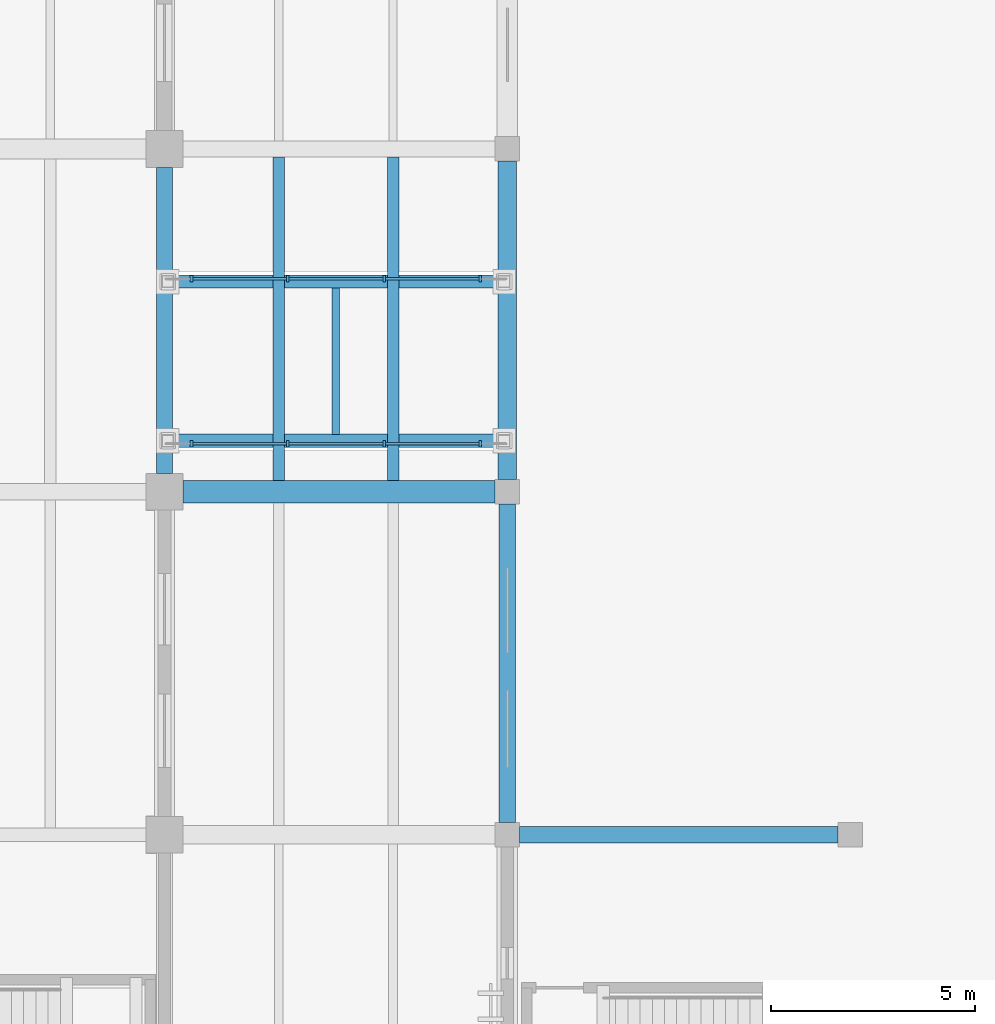
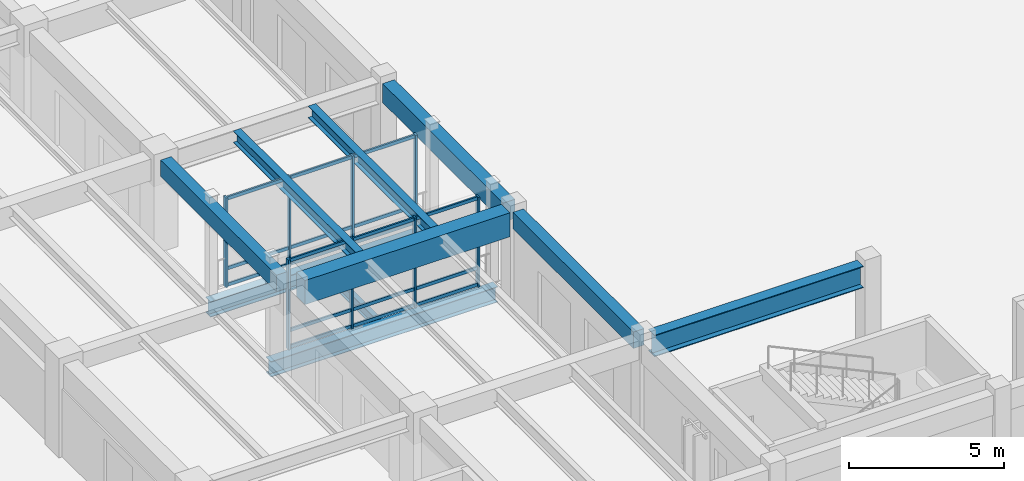
# One storey, part 30 of 135: 26 members, 10 beams, 2 elements without a shape of their own.
"""IFC4 building model written with IfcOpenShell, lengths in metres."""

from ifc_helpers import new_model, si_unit, direction, frame, origin, origin_2d, place, context, subcontext, project, spatial, rectangle, i_section, extrude, material, material_profile, profile_set, type_object, element, aggregate, save


model = new_model("IFC4")

# Units and contexts
model_context = context("Model", 3, precision=1e-05, world=origin(), true_north=direction((0.0, 1.0)))
body_context = subcontext(model_context, "Body", "Model", "MODEL_VIEW")
ifc_project = project(units=[si_unit("LENGTHUNIT", "METRE"), si_unit("AREAUNIT", "SQUARE_METRE"), si_unit("VOLUMEUNIT", "CUBIC_METRE"), si_unit("PLANEANGLEUNIT", "RADIAN"), si_unit("MASSUNIT", "GRAM", prefix="KILO")], contexts=[model_context])

# Site, building, storey
site_placement = place(None, origin())
site = spatial("IfcSite", under=ifc_project, at=site_placement, CompositionType="ELEMENT")
building_placement = place(site_placement, origin())
building = spatial("IfcBuilding", under=site, at=building_placement, Name="Cumbredor Promenade Congress Hotel", CompositionType="ELEMENT")
storey_placement = place(building_placement, origin())
storey = spatial("IfcBuildingStorey", under=building, at=storey_placement, Name="L00", CompositionType="ELEMENT", Elevation=0.0)

# Beams
ifc_material_1 = material(Name="Concrete C40/50", Category="concrete")
ifc_material_profile_1 = material_profile(ifc_material_1, rectangle(XDim=0.39990234375, YDim=0.64990234375, at=origin_2d()), Name="RC BEAM 400x650")
ifc_profile_set_1 = profile_set([ifc_material_profile_1], Name="Concrete C40/50")
beam_type_1 = type_object("IfcBeamType", Name="BM-RC-400x650", PredefinedType="BEAM", material=ifc_profile_set_1)
beam_1_placement = place(storey_placement, frame((67.199951171875, 25.64990234375, 3.31494140625), z_axis=(0.0, 1.0, 0.0), x_axis=(-1.0, 0.0, 0.0)))
element("IfcBeam", 1, at=beam_1_placement, inside=storey, type_object=beam_type_1, Name="L01 Y-Grid Beam 114", PredefinedType="BEAM", context=body_context, shape_type="SweptSolid", body=[
    extrude(rectangle(XDim=0.39990234375, YDim=0.64990234375, at=origin_2d()), origin(), (0.0, 0.0, 1.0), 7.5),
])
beam_2_placement = place(storey_placement, frame((75.60009765625, 17.10009765625, 3.31494140625), z_axis=(0.0, 1.0, 0.0), x_axis=(-1.0, 0.0, 0.0)))
element("IfcBeam", 2, at=beam_2_placement, inside=storey, type_object=beam_type_1, Name="L01 Y-Grid Beam 134", PredefinedType="BEAM", context=body_context, shape_type="SweptSolid", body=[
    extrude(rectangle(XDim=0.39990234375, YDim=0.64990234375, at=origin_2d()), origin(), (0.0, 0.0, 1.0), 7.7998046875),
])
ifc_material_profile_2 = material_profile(ifc_material_1, rectangle(XDim=0.449951171875, YDim=0.75, at=origin_2d()), Name="RC BEAM 450x750")
ifc_profile_set_2 = profile_set([ifc_material_profile_2], Name="Concrete C40/50")
beam_type_2 = type_object("IfcBeamType", Name="BM-RC-450x750", PredefinedType="BEAM", material=ifc_profile_set_2)
beam_3_placement = place(storey_placement, frame((75.60009765625, 25.5, 3.264892578125), z_axis=(0.0, 1.0, 0.0), x_axis=(-1.0, 0.0, 0.0)))
element("IfcBeam", 3, at=beam_3_placement, inside=storey, type_object=beam_type_2, Name="L01 Y-Grid Beam 135", PredefinedType="BEAM", context=body_context, shape_type="SweptSolid", body=[
    extrude(rectangle(XDim=0.449951171875, YDim=0.75, at=origin_2d()), origin(), (0.0, 0.0, 1.0), 7.800048828125),
])
ifc_material_profile_3 = material_profile(ifc_material_1, rectangle(XDim=0.550048828125, YDim=0.949951171875, at=origin_2d()), Name="RC BEAM 550x950")
ifc_profile_set_3 = profile_set([ifc_material_profile_3], Name="Concrete C40/50")
beam_type_3 = type_object("IfcBeamType", Name="BM-RC-550x950", PredefinedType="BEAM", material=ifc_profile_set_3)
beam_4_placement = place(storey_placement, frame((67.64990234375, 25.199951171875, 3.1650390625), z_axis=(1.0, 0.0, 0.0), x_axis=(0.0, 1.0, 0.0)))
element("IfcBeam", 4, at=beam_4_placement, inside=storey, type_object=beam_type_3, Name="L01 X-Grid Beam 113", PredefinedType="BEAM", context=body_context, shape_type="SweptSolid", body=[
    extrude(rectangle(XDim=0.550048828125, YDim=0.949951171875, at=origin_2d()), origin(), (0.0, 0.0, 1.0), 7.650146484375),
])
ifc_material_2 = material(Name="Steel ASTM A992 Grade 50", Category="steel")
ifc_material_profile_4 = material_profile(ifc_material_2, i_section(OverallWidth=0.323974609375, OverallDepth=0.611083984375, WebThickness=0.0126953125, FlangeThickness=0.01904296875, at=origin_2d()), Name="W24X104")
ifc_profile_set_4 = profile_set([ifc_material_profile_4], Name="Steel ASTM A992 Grade 50")
beam_type_4 = type_object("IfcBeamType", Name="BM-W24X104", PredefinedType="BEAM", material=ifc_profile_set_4)
for number, where, z_axis, x_axis, name in (
    (5, (67.159912109375, 26.449951171875, -0.525390625), (1.0, 0.0, 0.0), (0.0, 1.0, 0.0), "L00 Central Plenary-to-Spa Pool Bridge Edge Girder 1"),
    (6, (67.159912109375, 30.35009765625, -0.525390625), (1.0, 0.0, 0.0), (0.0, 1.0, 0.0), "L00 Central Plenary-to-Spa Pool Bridge Edge Girder 2"),
):
    element("IfcBeam", number, at=place(storey_placement, frame(where, z_axis=z_axis, x_axis=x_axis)), inside=storey, type_object=beam_type_4, Name=name, PredefinedType="BEAM", context=body_context, shape_type="SweptSolid", body=[
        extrude(i_section(OverallWidth=0.323974609375, OverallDepth=0.611083984375, WebThickness=0.0126953125, FlangeThickness=0.01904296875, at=origin_2d()), origin(), (0.0, 0.0, 1.0), 8.47998046875),
    ])
ifc_material_profile_5 = material_profile(ifc_material_2, i_section(OverallWidth=0.39990234375, OverallDepth=0.85498046875, WebThickness=0.018310546875, FlangeThickness=0.029296875, at=origin_2d()), Name="W33X201")
ifc_profile_set_5 = profile_set([ifc_material_profile_5], Name="Steel ASTM A992 Grade 50")
beam_type_5 = type_object("IfcBeamType", Name="BM-W33X201", PredefinedType="BEAM", material=ifc_profile_set_5)
beam_5_placement = place(storey_placement, frame((75.89990234375, 16.800048828125, 3.21240234375), z_axis=(1.0, 0.0, 0.0), x_axis=(0.0, 1.0, 0.0)))
element("IfcBeam", 7, at=beam_5_placement, inside=storey, type_object=beam_type_5, Name="L01 X-Grid Beam 133", PredefinedType="BEAM", context=body_context, shape_type="SweptSolid", body=[
    extrude(i_section(OverallWidth=0.39990234375, OverallDepth=0.85498046875, WebThickness=0.018310546875, FlangeThickness=0.029296875, at=origin_2d()), origin(), (0.0, 0.0, 1.0), 7.800048828125),
])

# Curtain wall, members
ifc_material_3 = material(Name="Thermally broken anodized aluminium and low-E glass", Category="aluminium")
curtain_wall_type = type_object("IfcCurtainWallType", Name="Unitised Bridge Glazing Screen CW-05", PredefinedType="NOTDEFINED", material=ifc_material_3)
curtain_wall_1_placement = place(storey_placement, origin())
curtain_wall_1 = element("IfcCurtainWall", 8, at=curtain_wall_1_placement, inside=storey, type_object=curtain_wall_type, Name="L00 Central Plenary-to-Spa Pool Bridge South Glazing Screen", PredefinedType="NOTDEFINED")
ifc_material_4 = material(Name="Thermally broken anodized aluminium", Category="aluminium")
ifc_material_profile_6 = material_profile(ifc_material_4, rectangle(XDim=0.06494140625, YDim=0.159912109375, at=origin_2d()), Name="ALU MULLION 65x160")
ifc_profile_set_6 = profile_set([ifc_material_profile_6], Name="Thermally broken anodized aluminium")
member_type_1 = type_object("IfcMemberType", Name="Curtain Wall Mullion ML-01", PredefinedType="MULLION", material=ifc_profile_set_6)
member_1_placement = place(storey_placement, frame((67.860107421875, 26.3798828125, -0.008056640625), z_axis=(0.0, 0.0, 1.0), x_axis=(1.0, 0.0, 0.0)))
member_1 = element("IfcMember", 9, at=member_1_placement, type_object=member_type_1, Name="L00 Central Plenary-to-Spa Pool Bridge South Glazing Screen Mullion 1", PredefinedType="MULLION", context=body_context, shape_type="SweptSolid", body=[
    extrude(rectangle(XDim=0.06494140625, YDim=0.159912109375, at=origin_2d()), origin(), (0.0, 0.0, 1.0), 3.55615234375),
])
member_2_placement = place(storey_placement, frame((70.219970703125, 26.3798828125, -0.008056640625), z_axis=(0.0, 0.0, 1.0), x_axis=(1.0, 0.0, 0.0)))
member_2 = element("IfcMember", 10, at=member_2_placement, type_object=member_type_1, Name="L00 Central Plenary-to-Spa Pool Bridge South Glazing Screen Mullion 2", PredefinedType="MULLION", context=body_context, shape_type="SweptSolid", body=[
    extrude(rectangle(XDim=0.06494140625, YDim=0.159912109375, at=origin_2d()), origin(), (0.0, 0.0, 1.0), 3.55615234375),
])
member_3_placement = place(storey_placement, frame((72.580078125, 26.3798828125, -0.008056640625), z_axis=(0.0, 0.0, 1.0), x_axis=(1.0, 0.0, 0.0)))
member_3 = element("IfcMember", 11, at=member_3_placement, type_object=member_type_1, Name="L00 Central Plenary-to-Spa Pool Bridge South Glazing Screen Mullion 3", PredefinedType="MULLION", context=body_context, shape_type="SweptSolid", body=[
    extrude(rectangle(XDim=0.06494140625, YDim=0.159912109375, at=origin_2d()), origin(), (0.0, 0.0, 1.0), 3.55615234375),
])
member_4_placement = place(storey_placement, frame((74.93994140625, 26.3798828125, -0.008056640625), z_axis=(0.0, 0.0, 1.0), x_axis=(1.0, 0.0, 0.0)))
member_4 = element("IfcMember", 12, at=member_4_placement, type_object=member_type_1, Name="L00 Central Plenary-to-Spa Pool Bridge South Glazing Screen Mullion 4", PredefinedType="MULLION", context=body_context, shape_type="SweptSolid", body=[
    extrude(rectangle(XDim=0.06494140625, YDim=0.159912109375, at=origin_2d()), origin(), (0.0, 0.0, 1.0), 3.55615234375),
])

curtain_wall_2_placement = place(storey_placement, origin())
curtain_wall_2 = element("IfcCurtainWall", 13, at=curtain_wall_2_placement, inside=storey, type_object=curtain_wall_type, Name="L00 Central Plenary-to-Spa Pool Bridge North Glazing Screen", PredefinedType="NOTDEFINED")
member_5_placement = place(storey_placement, frame((67.860107421875, 30.419921875, -0.008056640625), z_axis=(0.0, 0.0, 1.0), x_axis=(1.0, 0.0, 0.0)))
member_5 = element("IfcMember", 14, at=member_5_placement, type_object=member_type_1, Name="L00 Central Plenary-to-Spa Pool Bridge North Glazing Screen Mullion 1", PredefinedType="MULLION", context=body_context, shape_type="SweptSolid", body=[
    extrude(rectangle(XDim=0.06494140625, YDim=0.159912109375, at=origin_2d()), origin(), (0.0, 0.0, 1.0), 3.55615234375),
])
member_6_placement = place(storey_placement, frame((70.219970703125, 30.419921875, -0.008056640625), z_axis=(0.0, 0.0, 1.0), x_axis=(1.0, 0.0, 0.0)))
member_6 = element("IfcMember", 15, at=member_6_placement, type_object=member_type_1, Name="L00 Central Plenary-to-Spa Pool Bridge North Glazing Screen Mullion 2", PredefinedType="MULLION", context=body_context, shape_type="SweptSolid", body=[
    extrude(rectangle(XDim=0.06494140625, YDim=0.159912109375, at=origin_2d()), origin(), (0.0, 0.0, 1.0), 3.55615234375),
])
member_7_placement = place(storey_placement, frame((72.580078125, 30.419921875, -0.008056640625), z_axis=(0.0, 0.0, 1.0), x_axis=(1.0, 0.0, 0.0)))
member_7 = element("IfcMember", 16, at=member_7_placement, type_object=member_type_1, Name="L00 Central Plenary-to-Spa Pool Bridge North Glazing Screen Mullion 3", PredefinedType="MULLION", context=body_context, shape_type="SweptSolid", body=[
    extrude(rectangle(XDim=0.06494140625, YDim=0.159912109375, at=origin_2d()), origin(), (0.0, 0.0, 1.0), 3.55615234375),
])
member_8_placement = place(storey_placement, frame((74.93994140625, 30.419921875, -0.008056640625), z_axis=(0.0, 0.0, 1.0), x_axis=(1.0, 0.0, 0.0)))
member_8 = element("IfcMember", 17, at=member_8_placement, type_object=member_type_1, Name="L00 Central Plenary-to-Spa Pool Bridge North Glazing Screen Mullion 4", PredefinedType="MULLION", context=body_context, shape_type="SweptSolid", body=[
    extrude(rectangle(XDim=0.06494140625, YDim=0.159912109375, at=origin_2d()), origin(), (0.0, 0.0, 1.0), 3.55615234375),
])

# Member
ifc_material_profile_7 = material_profile(ifc_material_4, rectangle(XDim=0.06494140625, YDim=0.1298828125, at=origin_2d()), Name="ALU TRANSOM 65x130")
ifc_profile_set_7 = profile_set([ifc_material_profile_7], Name="Thermally broken anodized aluminium")
member_type_2 = type_object("IfcMemberType", Name="Curtain Wall Transom TR-01", PredefinedType="USERDEFINED", material=ifc_profile_set_7)
member_9_placement = place(storey_placement, frame((67.892578125, 26.3798828125, 0.070068359375), z_axis=(1.0, 0.0, 0.0), x_axis=(0.0, 1.0, 0.0)))
member_9 = element("IfcMember", 18, at=member_9_placement, type_object=member_type_2, Name="L00 Central Plenary-to-Spa Pool Bridge South Glazing Screen Transom 1.1", ObjectType="TRANSOM", PredefinedType="USERDEFINED", context=body_context, shape_type="SweptSolid", body=[
    extrude(rectangle(XDim=0.06494140625, YDim=0.1298828125, at=origin_2d()), origin(), (0.0, 0.0, 1.0), 2.294921875),
])

member_10_placement = place(storey_placement, frame((67.892578125, 26.3798828125, 0.719970703125), z_axis=(1.0, 0.0, 0.0), x_axis=(0.0, 1.0, 0.0)))
member_10 = element("IfcMember", 19, at=member_10_placement, type_object=member_type_2, Name="L00 Central Plenary-to-Spa Pool Bridge South Glazing Screen Transom 1.2", ObjectType="TRANSOM", PredefinedType="USERDEFINED", context=body_context, shape_type="SweptSolid", body=[
    extrude(rectangle(XDim=0.06494140625, YDim=0.1298828125, at=origin_2d()), origin(), (0.0, 0.0, 1.0), 2.294921875),
])

member_11_placement = place(storey_placement, frame((67.892578125, 26.3798828125, 3.47998046875), z_axis=(1.0, 0.0, 0.0), x_axis=(0.0, 1.0, 0.0)))
member_11 = element("IfcMember", 20, at=member_11_placement, type_object=member_type_2, Name="L00 Central Plenary-to-Spa Pool Bridge South Glazing Screen Transom 1.3", ObjectType="TRANSOM", PredefinedType="USERDEFINED", context=body_context, shape_type="SweptSolid", body=[
    extrude(rectangle(XDim=0.06494140625, YDim=0.1298828125, at=origin_2d()), origin(), (0.0, 0.0, 1.0), 2.294921875),
])

member_12_placement = place(storey_placement, frame((70.25244140625, 26.3798828125, 0.070068359375), z_axis=(1.0, 0.0, 0.0), x_axis=(0.0, 1.0, 0.0)))
member_12 = element("IfcMember", 21, at=member_12_placement, type_object=member_type_2, Name="L00 Central Plenary-to-Spa Pool Bridge South Glazing Screen Transom 2.1", ObjectType="TRANSOM", PredefinedType="USERDEFINED", context=body_context, shape_type="SweptSolid", body=[
    extrude(rectangle(XDim=0.06494140625, YDim=0.1298828125, at=origin_2d()), origin(), (0.0, 0.0, 1.0), 2.295166015625),
])

member_13_placement = place(storey_placement, frame((70.25244140625, 26.3798828125, 0.719970703125), z_axis=(1.0, 0.0, 0.0), x_axis=(0.0, 1.0, 0.0)))
member_13 = element("IfcMember", 22, at=member_13_placement, type_object=member_type_2, Name="L00 Central Plenary-to-Spa Pool Bridge South Glazing Screen Transom 2.2", ObjectType="TRANSOM", PredefinedType="USERDEFINED", context=body_context, shape_type="SweptSolid", body=[
    extrude(rectangle(XDim=0.06494140625, YDim=0.1298828125, at=origin_2d()), origin(), (0.0, 0.0, 1.0), 2.295166015625),
])

member_14_placement = place(storey_placement, frame((70.25244140625, 26.3798828125, 3.47998046875), z_axis=(1.0, 0.0, 0.0), x_axis=(0.0, 1.0, 0.0)))
member_14 = element("IfcMember", 23, at=member_14_placement, type_object=member_type_2, Name="L00 Central Plenary-to-Spa Pool Bridge South Glazing Screen Transom 2.3", ObjectType="TRANSOM", PredefinedType="USERDEFINED", context=body_context, shape_type="SweptSolid", body=[
    extrude(rectangle(XDim=0.06494140625, YDim=0.1298828125, at=origin_2d()), origin(), (0.0, 0.0, 1.0), 2.295166015625),
])

member_15_placement = place(storey_placement, frame((72.612548828125, 26.3798828125, 0.070068359375), z_axis=(1.0, 0.0, 0.0), x_axis=(0.0, 1.0, 0.0)))
member_15 = element("IfcMember", 24, at=member_15_placement, type_object=member_type_2, Name="L00 Central Plenary-to-Spa Pool Bridge South Glazing Screen Transom 3.1", ObjectType="TRANSOM", PredefinedType="USERDEFINED", context=body_context, shape_type="SweptSolid", body=[
    extrude(rectangle(XDim=0.06494140625, YDim=0.1298828125, at=origin_2d()), origin(), (0.0, 0.0, 1.0), 2.294921875),
])

member_16_placement = place(storey_placement, frame((72.612548828125, 26.3798828125, 0.719970703125), z_axis=(1.0, 0.0, 0.0), x_axis=(0.0, 1.0, 0.0)))
member_16 = element("IfcMember", 25, at=member_16_placement, type_object=member_type_2, Name="L00 Central Plenary-to-Spa Pool Bridge South Glazing Screen Transom 3.2", ObjectType="TRANSOM", PredefinedType="USERDEFINED", context=body_context, shape_type="SweptSolid", body=[
    extrude(rectangle(XDim=0.06494140625, YDim=0.1298828125, at=origin_2d()), origin(), (0.0, 0.0, 1.0), 2.294921875),
])

member_17_placement = place(storey_placement, frame((72.612548828125, 26.3798828125, 3.47998046875), z_axis=(1.0, 0.0, 0.0), x_axis=(0.0, 1.0, 0.0)))
member_17 = element("IfcMember", 26, at=member_17_placement, type_object=member_type_2, Name="L00 Central Plenary-to-Spa Pool Bridge South Glazing Screen Transom 3.3", ObjectType="TRANSOM", PredefinedType="USERDEFINED", context=body_context, shape_type="SweptSolid", body=[
    extrude(rectangle(XDim=0.06494140625, YDim=0.1298828125, at=origin_2d()), origin(), (0.0, 0.0, 1.0), 2.294921875),
])

aggregate(curtain_wall_1, [member_1, member_2, member_3, member_4, member_9, member_10, member_11, member_12, member_13, member_14, member_15, member_16, member_17])

member_18_placement = place(storey_placement, frame((67.892578125, 30.419921875, 0.070068359375), z_axis=(1.0, 0.0, 0.0), x_axis=(0.0, 1.0, 0.0)))
member_18 = element("IfcMember", 27, at=member_18_placement, type_object=member_type_2, Name="L00 Central Plenary-to-Spa Pool Bridge North Glazing Screen Transom 1.1", ObjectType="TRANSOM", PredefinedType="USERDEFINED", context=body_context, shape_type="SweptSolid", body=[
    extrude(rectangle(XDim=0.06494140625, YDim=0.1298828125, at=origin_2d()), origin(), (0.0, 0.0, 1.0), 2.294921875),
])

member_19_placement = place(storey_placement, frame((67.892578125, 30.419921875, 0.719970703125), z_axis=(1.0, 0.0, 0.0), x_axis=(0.0, 1.0, 0.0)))
member_19 = element("IfcMember", 28, at=member_19_placement, type_object=member_type_2, Name="L00 Central Plenary-to-Spa Pool Bridge North Glazing Screen Transom 1.2", ObjectType="TRANSOM", PredefinedType="USERDEFINED", context=body_context, shape_type="SweptSolid", body=[
    extrude(rectangle(XDim=0.06494140625, YDim=0.1298828125, at=origin_2d()), origin(), (0.0, 0.0, 1.0), 2.294921875),
])

member_20_placement = place(storey_placement, frame((67.892578125, 30.419921875, 3.47998046875), z_axis=(1.0, 0.0, 0.0), x_axis=(0.0, 1.0, 0.0)))
member_20 = element("IfcMember", 29, at=member_20_placement, type_object=member_type_2, Name="L00 Central Plenary-to-Spa Pool Bridge North Glazing Screen Transom 1.3", ObjectType="TRANSOM", PredefinedType="USERDEFINED", context=body_context, shape_type="SweptSolid", body=[
    extrude(rectangle(XDim=0.06494140625, YDim=0.1298828125, at=origin_2d()), origin(), (0.0, 0.0, 1.0), 2.294921875),
])

member_21_placement = place(storey_placement, frame((70.25244140625, 30.419921875, 0.070068359375), z_axis=(1.0, 0.0, 0.0), x_axis=(0.0, 1.0, 0.0)))
member_21 = element("IfcMember", 30, at=member_21_placement, type_object=member_type_2, Name="L00 Central Plenary-to-Spa Pool Bridge North Glazing Screen Transom 2.1", ObjectType="TRANSOM", PredefinedType="USERDEFINED", context=body_context, shape_type="SweptSolid", body=[
    extrude(rectangle(XDim=0.06494140625, YDim=0.1298828125, at=origin_2d()), origin(), (0.0, 0.0, 1.0), 2.295166015625),
])

member_22_placement = place(storey_placement, frame((70.25244140625, 30.419921875, 0.719970703125), z_axis=(1.0, 0.0, 0.0), x_axis=(0.0, 1.0, 0.0)))
member_22 = element("IfcMember", 31, at=member_22_placement, type_object=member_type_2, Name="L00 Central Plenary-to-Spa Pool Bridge North Glazing Screen Transom 2.2", ObjectType="TRANSOM", PredefinedType="USERDEFINED", context=body_context, shape_type="SweptSolid", body=[
    extrude(rectangle(XDim=0.06494140625, YDim=0.1298828125, at=origin_2d()), origin(), (0.0, 0.0, 1.0), 2.295166015625),
])

member_23_placement = place(storey_placement, frame((70.25244140625, 30.419921875, 3.47998046875), z_axis=(1.0, 0.0, 0.0), x_axis=(0.0, 1.0, 0.0)))
member_23 = element("IfcMember", 32, at=member_23_placement, type_object=member_type_2, Name="L00 Central Plenary-to-Spa Pool Bridge North Glazing Screen Transom 2.3", ObjectType="TRANSOM", PredefinedType="USERDEFINED", context=body_context, shape_type="SweptSolid", body=[
    extrude(rectangle(XDim=0.06494140625, YDim=0.1298828125, at=origin_2d()), origin(), (0.0, 0.0, 1.0), 2.295166015625),
])

member_24_placement = place(storey_placement, frame((72.612548828125, 30.419921875, 0.070068359375), z_axis=(1.0, 0.0, 0.0), x_axis=(0.0, 1.0, 0.0)))
member_24 = element("IfcMember", 33, at=member_24_placement, type_object=member_type_2, Name="L00 Central Plenary-to-Spa Pool Bridge North Glazing Screen Transom 3.1", ObjectType="TRANSOM", PredefinedType="USERDEFINED", context=body_context, shape_type="SweptSolid", body=[
    extrude(rectangle(XDim=0.06494140625, YDim=0.1298828125, at=origin_2d()), origin(), (0.0, 0.0, 1.0), 2.294921875),
])

member_25_placement = place(storey_placement, frame((72.612548828125, 30.419921875, 0.719970703125), z_axis=(1.0, 0.0, 0.0), x_axis=(0.0, 1.0, 0.0)))
member_25 = element("IfcMember", 34, at=member_25_placement, type_object=member_type_2, Name="L00 Central Plenary-to-Spa Pool Bridge North Glazing Screen Transom 3.2", ObjectType="TRANSOM", PredefinedType="USERDEFINED", context=body_context, shape_type="SweptSolid", body=[
    extrude(rectangle(XDim=0.06494140625, YDim=0.1298828125, at=origin_2d()), origin(), (0.0, 0.0, 1.0), 2.294921875),
])

member_26_placement = place(storey_placement, frame((72.612548828125, 30.419921875, 3.47998046875), z_axis=(1.0, 0.0, 0.0), x_axis=(0.0, 1.0, 0.0)))
member_26 = element("IfcMember", 35, at=member_26_placement, type_object=member_type_2, Name="L00 Central Plenary-to-Spa Pool Bridge North Glazing Screen Transom 3.3", ObjectType="TRANSOM", PredefinedType="USERDEFINED", context=body_context, shape_type="SweptSolid", body=[
    extrude(rectangle(XDim=0.06494140625, YDim=0.1298828125, at=origin_2d()), origin(), (0.0, 0.0, 1.0), 2.294921875),
])

aggregate(curtain_wall_2, [member_5, member_6, member_7, member_8, member_18, member_19, member_20, member_21, member_22, member_23, member_24, member_25, member_26])

# Beams
ifc_material_profile_8 = material_profile(ifc_material_2, i_section(OverallWidth=0.180908203125, OverallDepth=0.4169921875, WebThickness=0.010986328125, FlangeThickness=0.018310546875, at=origin_2d()), Name="W16X57")
ifc_profile_set_8 = profile_set([ifc_material_profile_8], Name="Steel ASTM A992 Grade 50")
beam_type_6 = type_object("IfcBeamType", Name="JST-W16X57", PredefinedType="JOIST", material=ifc_profile_set_8)
beam_6_placement = place(storey_placement, frame((71.39990234375, 26.60009765625, -0.428466796875), z_axis=(0.0, 1.0, 0.0), x_axis=(-1.0, 0.0, 0.0)))
element("IfcBeam", 36, at=beam_6_placement, inside=storey, type_object=beam_type_6, Name="L00 Central Plenary-to-Spa Pool Bridge Cross Beam", PredefinedType="JOIST", context=body_context, shape_type="SweptSolid", body=[
    extrude(i_section(OverallWidth=0.180908203125, OverallDepth=0.4169921875, WebThickness=0.010986328125, FlangeThickness=0.018310546875, at=origin_2d()), origin(), (0.0, 0.0, 1.0), 3.599853515625),
])
ifc_material_profile_9 = material_profile(ifc_material_2, i_section(OverallWidth=0.280029296875, OverallDepth=0.462890625, WebThickness=0.0107421875, FlangeThickness=0.017333984375, at=origin_2d()), Name="W18X76")
ifc_profile_set_9 = profile_set([ifc_material_profile_9], Name="Steel ASTM A992 Grade 50")
beam_type_7 = type_object("IfcBeamType", Name="JST-W18X76", PredefinedType="JOIST", material=ifc_profile_set_9)
for number, where, z_axis, x_axis, name in (
    (37, (70.0, 25.47509765625, 3.408447265625), (0.0, 1.0, 0.0), (-1.0, 0.0, 0.0), "L01 Secondary Floor Joist 0066"),
    (38, (72.800048828125, 25.47509765625, 3.408447265625), (0.0, 1.0, 0.0), (-1.0, 0.0, 0.0), "L01 Secondary Floor Joist 0067"),
):
    element("IfcBeam", number, at=place(storey_placement, frame(where, z_axis=z_axis, x_axis=x_axis)), inside=storey, type_object=beam_type_7, Name=name, PredefinedType="JOIST", context=body_context, shape_type="SweptSolid", body=[
        extrude(i_section(OverallWidth=0.280029296875, OverallDepth=0.462890625, WebThickness=0.0107421875, FlangeThickness=0.017333984375, at=origin_2d()), origin(), (0.0, 0.0, 1.0), 7.9248046875),
    ])

save(model, "model.ifc")
